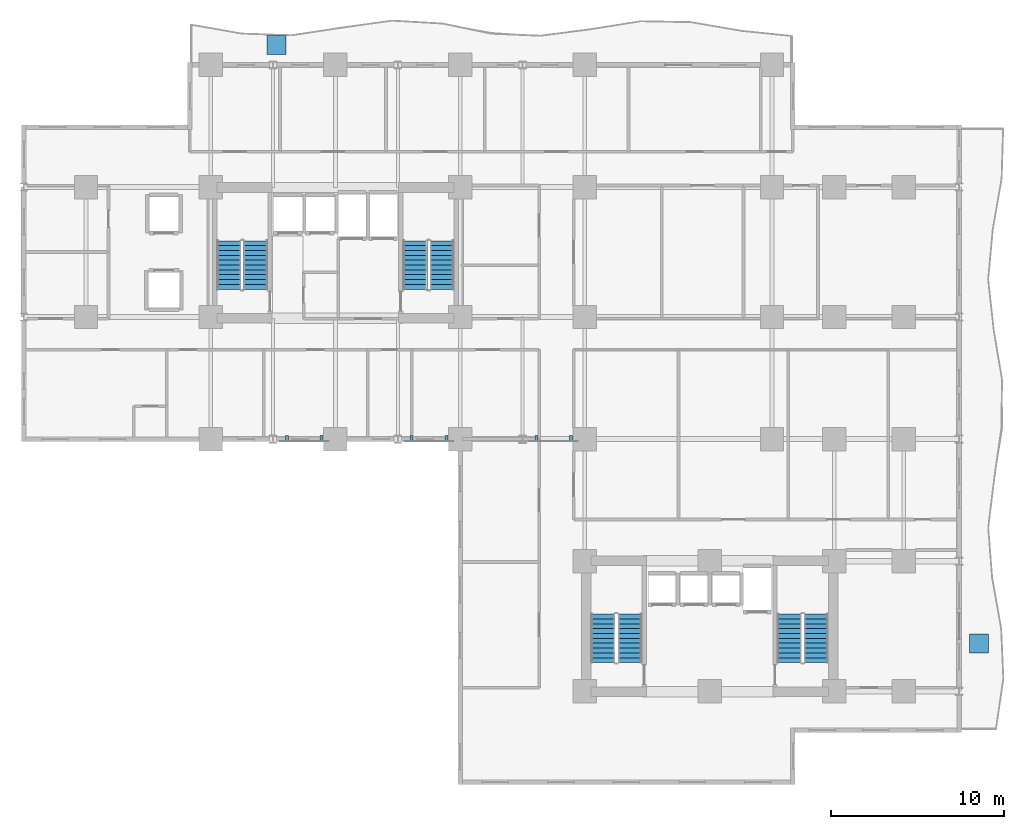
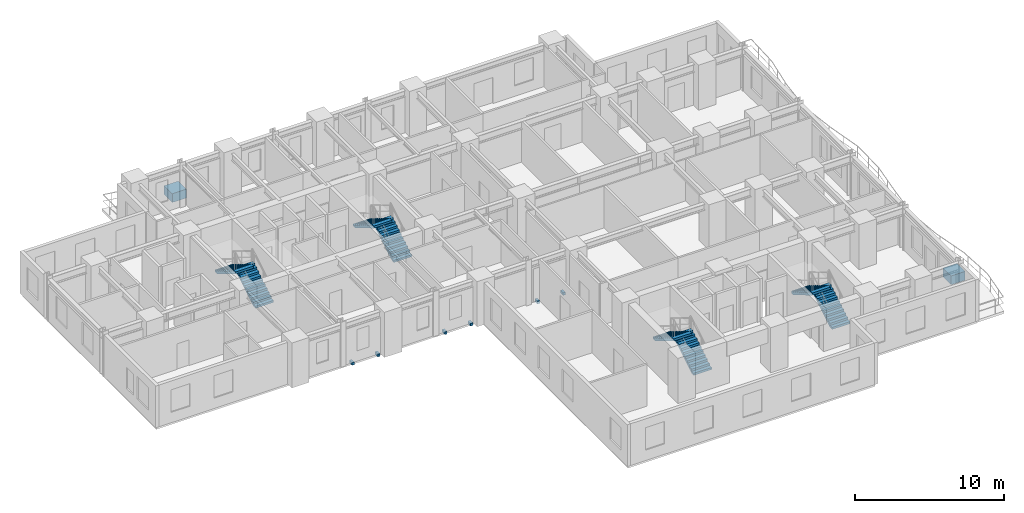
# One storey, part 8 of 11: 8 discrete accessories, 8 stair flights, 4 elements without a shape of their own.
"""IFC4 building model written with IfcOpenShell, lengths in metres."""

from ifc_helpers import new_model, si_unit, direction, frame, origin, origin_2d, place, context, subcontext, project, spatial, polyline, rectangle, outline, extrude, source, transform, mapped, material, type_object, element, aggregate, save


model = new_model("IFC4")

# Units and contexts
model_context = context("Model", 3, precision=1e-05, world=origin(), true_north=direction((0.0, 1.0)))
body_context = subcontext(model_context, "Body", "Model", "MODEL_VIEW")
ifc_project = project(units=[si_unit("LENGTHUNIT", "METRE"), si_unit("AREAUNIT", "SQUARE_METRE"), si_unit("VOLUMEUNIT", "CUBIC_METRE"), si_unit("PLANEANGLEUNIT", "RADIAN"), si_unit("MASSUNIT", "GRAM", prefix="KILO")], contexts=[model_context])

# Site, building, storey
site_placement = place(None, origin())
site = spatial("IfcSite", under=ifc_project, at=site_placement, CompositionType="ELEMENT")
building_placement = place(site_placement, origin())
building = spatial("IfcBuilding", under=site, at=building_placement, Name="Kaliganga Portal Commons", CompositionType="ELEMENT")
storey_placement = place(building_placement, frame((0.0, 0.0, 66.0)))
storey = spatial("IfcBuildingStorey", under=building, at=storey_placement, Name="L16", CompositionType="ELEMENT", Elevation=66.0)

# Stair, stair flights
ifc_material_1 = material(Name="Concrete C40/50", Category="concrete")
stair_type = type_object("IfcStairType", Name="ST-CORE-DOGLEG", PredefinedType="HALF_TURN_STAIR", material=ifc_material_1)
stair_1_placement = place(storey_placement, origin())
stair_1 = element("IfcStair", 1, at=stair_1_placement, inside=storey, type_object=stair_type, Name="L16 Protected Exit Stair ST-A1", PredefinedType="HALF_TURN_STAIR")
stair_flight_type = type_object("IfcStairFlightType", Name="STF-RC-1400", PredefinedType="STRAIGHT", material=ifc_material_1)
stair_flight_1_placement = place(storey_placement, frame((17.0, 30.25, 0.0), z_axis=(0.0, 0.0, 1.0), x_axis=(0.0, 1.0, 0.0)))
stair_flight_1 = element("IfcStairFlight", 2, at=stair_flight_1_placement, type_object=stair_flight_type, Name="ST-A1 flight 1", NumberOfRisers=11, NumberOfTreads=10, PredefinedType="STRAIGHT", RiserHeight=0.168181818, TreadLength=0.28, context=body_context, shape_type="SweptSolid", body=[
    extrude(outline(polyline([(0.0, 0.0), (0.0, 0.168212890625), (0.280029296875, 0.168212890625), (0.280029296875, 0.33642578125), (0.56005859375, 0.33642578125), (0.56005859375, 0.504638671875), (0.840087890625, 0.504638671875), (0.840087890625, 0.672607421875), (1.1201171875, 0.672607421875), (1.1201171875, 0.8408203125), (1.39990234375, 0.8408203125), (1.39990234375, 1.009033203125), (1.679931640625, 1.009033203125), (1.679931640625, 1.17724609375), (1.9599609375, 1.17724609375), (1.9599609375, 1.345458984375), (2.239990234375, 1.345458984375), (2.239990234375, 1.513671875), (2.52001953125, 1.513671875), (2.52001953125, 1.681884765625), (2.800048828125, 1.681884765625), (2.800048828125, 1.85009765625), (2.800048828125, 1.5068359375), (0.291015625, 0.0), (0.0, 0.0)])), frame((0.0, 0.699951171875, 0.0), z_axis=(0.0, -1.0, 0.0), x_axis=(1.0, 0.0, 0.0)), (0.0, 0.0, 1.0), 1.39990234375),
])
stair_flight_2_placement = place(storey_placement, frame((15.449951171875, 33.050048828125, 1.85009765625), z_axis=(0.0, 0.0, 1.0), x_axis=(0.0, -1.0, 0.0)))
stair_flight_2 = element("IfcStairFlight", 3, at=stair_flight_2_placement, type_object=stair_flight_type, Name="ST-A1 flight 2", NumberOfRisers=11, NumberOfTreads=10, PredefinedType="STRAIGHT", RiserHeight=0.168181818, TreadLength=0.28, context=body_context, shape_type="SweptSolid", body=[
    extrude(outline(polyline([(0.0, 0.0), (0.0, 0.168212890625), (0.280029296875, 0.168212890625), (0.280029296875, 0.33642578125), (0.56005859375, 0.33642578125), (0.56005859375, 0.504638671875), (0.840087890625, 0.504638671875), (0.840087890625, 0.672607421875), (1.1201171875, 0.672607421875), (1.1201171875, 0.8408203125), (1.39990234375, 0.8408203125), (1.39990234375, 1.009033203125), (1.679931640625, 1.009033203125), (1.679931640625, 1.17724609375), (1.9599609375, 1.17724609375), (1.9599609375, 1.345458984375), (2.239990234375, 1.345458984375), (2.239990234375, 1.513671875), (2.52001953125, 1.513671875), (2.52001953125, 1.681884765625), (2.800048828125, 1.681884765625), (2.800048828125, 1.85009765625), (2.800048828125, 1.5068359375), (0.291015625, 0.0), (0.0, 0.0)])), frame((0.0, 0.699951171875, 0.0), z_axis=(0.0, -1.0, 0.0), x_axis=(1.0, 0.0, 0.0)), (0.0, 0.0, 1.0), 1.39990234375),
])
aggregate(stair_1, [stair_flight_1, stair_flight_2])

stair_2_placement = place(storey_placement, origin())
stair_2 = element("IfcStair", 4, at=stair_2_placement, inside=storey, type_object=stair_type, Name="L16 Protected Exit Stair ST-A2", PredefinedType="HALF_TURN_STAIR")
stair_flight_3_placement = place(storey_placement, frame((27.75, 30.25, 0.0), z_axis=(0.0, 0.0, 1.0), x_axis=(0.0, 1.0, 0.0)))
stair_flight_3 = element("IfcStairFlight", 5, at=stair_flight_3_placement, type_object=stair_flight_type, Name="ST-A2 flight 1", NumberOfRisers=11, NumberOfTreads=10, PredefinedType="STRAIGHT", RiserHeight=0.168181818, TreadLength=0.28, context=body_context, shape_type="SweptSolid", body=[
    extrude(outline(polyline([(0.0, 0.0), (0.0, 0.168212890625), (0.280029296875, 0.168212890625), (0.280029296875, 0.33642578125), (0.56005859375, 0.33642578125), (0.56005859375, 0.504638671875), (0.840087890625, 0.504638671875), (0.840087890625, 0.672607421875), (1.1201171875, 0.672607421875), (1.1201171875, 0.8408203125), (1.39990234375, 0.8408203125), (1.39990234375, 1.009033203125), (1.679931640625, 1.009033203125), (1.679931640625, 1.17724609375), (1.9599609375, 1.17724609375), (1.9599609375, 1.345458984375), (2.239990234375, 1.345458984375), (2.239990234375, 1.513671875), (2.52001953125, 1.513671875), (2.52001953125, 1.681884765625), (2.800048828125, 1.681884765625), (2.800048828125, 1.85009765625), (2.800048828125, 1.5068359375), (0.291015625, 0.0), (0.0, 0.0)])), frame((0.0, 0.699951171875, 0.0), z_axis=(0.0, -1.0, 0.0), x_axis=(1.0, 0.0, 0.0)), (0.0, 0.0, 1.0), 1.39990234375),
])
stair_flight_4_placement = place(storey_placement, frame((26.199951171875, 33.050048828125, 1.85009765625), z_axis=(0.0, 0.0, 1.0), x_axis=(0.0, -1.0, 0.0)))
stair_flight_4 = element("IfcStairFlight", 6, at=stair_flight_4_placement, type_object=stair_flight_type, Name="ST-A2 flight 2", NumberOfRisers=11, NumberOfTreads=10, PredefinedType="STRAIGHT", RiserHeight=0.168181818, TreadLength=0.28, context=body_context, shape_type="SweptSolid", body=[
    extrude(outline(polyline([(0.0, 0.0), (0.0, 0.168212890625), (0.280029296875, 0.168212890625), (0.280029296875, 0.33642578125), (0.56005859375, 0.33642578125), (0.56005859375, 0.504638671875), (0.840087890625, 0.504638671875), (0.840087890625, 0.672607421875), (1.1201171875, 0.672607421875), (1.1201171875, 0.8408203125), (1.39990234375, 0.8408203125), (1.39990234375, 1.009033203125), (1.679931640625, 1.009033203125), (1.679931640625, 1.17724609375), (1.9599609375, 1.17724609375), (1.9599609375, 1.345458984375), (2.239990234375, 1.345458984375), (2.239990234375, 1.513671875), (2.52001953125, 1.513671875), (2.52001953125, 1.681884765625), (2.800048828125, 1.681884765625), (2.800048828125, 1.85009765625), (2.800048828125, 1.5068359375), (0.291015625, 0.0), (0.0, 0.0)])), frame((0.0, 0.699951171875, 0.0), z_axis=(0.0, -1.0, 0.0), x_axis=(1.0, 0.0, 0.0)), (0.0, 0.0, 1.0), 1.39990234375),
])
aggregate(stair_2, [stair_flight_3, stair_flight_4])

stair_3_placement = place(storey_placement, origin())
stair_3 = element("IfcStair", 7, at=stair_3_placement, inside=storey, type_object=stair_type, Name="L16 Protected Exit Stair ST-B1", PredefinedType="HALF_TURN_STAIR")
stair_flight_5_placement = place(storey_placement, frame((38.60009765625, 8.699951171875, 0.0), z_axis=(0.0, 0.0, 1.0), x_axis=(0.0, 1.0, 0.0)))
stair_flight_5 = element("IfcStairFlight", 8, at=stair_flight_5_placement, type_object=stair_flight_type, Name="ST-B1 flight 1", NumberOfRisers=11, NumberOfTreads=10, PredefinedType="STRAIGHT", RiserHeight=0.168181818, TreadLength=0.28, context=body_context, shape_type="SweptSolid", body=[
    extrude(outline(polyline([(0.0, 0.0), (0.0, 0.168212890625), (0.280029296875, 0.168212890625), (0.280029296875, 0.33642578125), (0.56005859375, 0.33642578125), (0.56005859375, 0.504638671875), (0.840087890625, 0.504638671875), (0.840087890625, 0.672607421875), (1.1201171875, 0.672607421875), (1.1201171875, 0.8408203125), (1.39990234375, 0.8408203125), (1.39990234375, 1.009033203125), (1.679931640625, 1.009033203125), (1.679931640625, 1.17724609375), (1.9599609375, 1.17724609375), (1.9599609375, 1.345458984375), (2.239990234375, 1.345458984375), (2.239990234375, 1.513671875), (2.52001953125, 1.513671875), (2.52001953125, 1.681884765625), (2.800048828125, 1.681884765625), (2.800048828125, 1.85009765625), (2.800048828125, 1.5068359375), (0.291015625, 0.0), (0.0, 0.0)])), frame((0.0, 0.699951171875, 0.0), z_axis=(0.0, -1.0, 0.0), x_axis=(1.0, 0.0, 0.0)), (0.0, 0.0, 1.0), 1.39990234375),
])
stair_flight_6_placement = place(storey_placement, frame((37.050048828125, 11.5, 1.85009765625), z_axis=(0.0, 0.0, 1.0), x_axis=(0.0, -1.0, 0.0)))
stair_flight_6 = element("IfcStairFlight", 9, at=stair_flight_6_placement, type_object=stair_flight_type, Name="ST-B1 flight 2", NumberOfRisers=11, NumberOfTreads=10, PredefinedType="STRAIGHT", RiserHeight=0.168181818, TreadLength=0.28, context=body_context, shape_type="SweptSolid", body=[
    extrude(outline(polyline([(0.0, 0.0), (0.0, 0.168212890625), (0.280029296875, 0.168212890625), (0.280029296875, 0.33642578125), (0.56005859375, 0.33642578125), (0.56005859375, 0.504638671875), (0.840087890625, 0.504638671875), (0.840087890625, 0.672607421875), (1.1201171875, 0.672607421875), (1.1201171875, 0.8408203125), (1.39990234375, 0.8408203125), (1.39990234375, 1.009033203125), (1.679931640625, 1.009033203125), (1.679931640625, 1.17724609375), (1.9599609375, 1.17724609375), (1.9599609375, 1.345458984375), (2.239990234375, 1.345458984375), (2.239990234375, 1.513671875), (2.52001953125, 1.513671875), (2.52001953125, 1.681884765625), (2.800048828125, 1.681884765625), (2.800048828125, 1.85009765625), (2.800048828125, 1.5068359375), (0.291015625, 0.0), (0.0, 0.0)])), frame((0.0, 0.699951171875, 0.0), z_axis=(0.0, -1.0, 0.0), x_axis=(1.0, 0.0, 0.0)), (0.0, 0.0, 1.0), 1.39990234375),
])
aggregate(stair_3, [stair_flight_5, stair_flight_6])

stair_4_placement = place(storey_placement, origin())
stair_4 = element("IfcStair", 10, at=stair_4_placement, inside=storey, type_object=stair_type, Name="L16 Protected Exit Stair ST-B2", PredefinedType="HALF_TURN_STAIR")
stair_flight_7_placement = place(storey_placement, frame((49.35009765625, 8.699951171875, 0.0), z_axis=(0.0, 0.0, 1.0), x_axis=(0.0, 1.0, 0.0)))
stair_flight_7 = element("IfcStairFlight", 11, at=stair_flight_7_placement, type_object=stair_flight_type, Name="ST-B2 flight 1", NumberOfRisers=11, NumberOfTreads=10, PredefinedType="STRAIGHT", RiserHeight=0.168181818, TreadLength=0.28, context=body_context, shape_type="SweptSolid", body=[
    extrude(outline(polyline([(0.0, 0.0), (0.0, 0.168212890625), (0.280029296875, 0.168212890625), (0.280029296875, 0.33642578125), (0.56005859375, 0.33642578125), (0.56005859375, 0.504638671875), (0.840087890625, 0.504638671875), (0.840087890625, 0.672607421875), (1.1201171875, 0.672607421875), (1.1201171875, 0.8408203125), (1.39990234375, 0.8408203125), (1.39990234375, 1.009033203125), (1.679931640625, 1.009033203125), (1.679931640625, 1.17724609375), (1.9599609375, 1.17724609375), (1.9599609375, 1.345458984375), (2.239990234375, 1.345458984375), (2.239990234375, 1.513671875), (2.52001953125, 1.513671875), (2.52001953125, 1.681884765625), (2.800048828125, 1.681884765625), (2.800048828125, 1.85009765625), (2.800048828125, 1.5068359375), (0.291015625, 0.0), (0.0, 0.0)])), frame((0.0, 0.699951171875, 0.0), z_axis=(0.0, -1.0, 0.0), x_axis=(1.0, 0.0, 0.0)), (0.0, 0.0, 1.0), 1.39990234375),
])
stair_flight_8_placement = place(storey_placement, frame((47.800048828125, 11.5, 1.85009765625), z_axis=(0.0, 0.0, 1.0), x_axis=(0.0, -1.0, 0.0)))
stair_flight_8 = element("IfcStairFlight", 12, at=stair_flight_8_placement, type_object=stair_flight_type, Name="ST-B2 flight 2", NumberOfRisers=11, NumberOfTreads=10, PredefinedType="STRAIGHT", RiserHeight=0.168181818, TreadLength=0.28, context=body_context, shape_type="SweptSolid", body=[
    extrude(outline(polyline([(0.0, 0.0), (0.0, 0.168212890625), (0.280029296875, 0.168212890625), (0.280029296875, 0.33642578125), (0.56005859375, 0.33642578125), (0.56005859375, 0.504638671875), (0.840087890625, 0.504638671875), (0.840087890625, 0.672607421875), (1.1201171875, 0.672607421875), (1.1201171875, 0.8408203125), (1.39990234375, 0.8408203125), (1.39990234375, 1.009033203125), (1.679931640625, 1.009033203125), (1.679931640625, 1.17724609375), (1.9599609375, 1.17724609375), (1.9599609375, 1.345458984375), (2.239990234375, 1.345458984375), (2.239990234375, 1.513671875), (2.52001953125, 1.513671875), (2.52001953125, 1.681884765625), (2.800048828125, 1.681884765625), (2.800048828125, 1.85009765625), (2.800048828125, 1.5068359375), (0.291015625, 0.0), (0.0, 0.0)])), frame((0.0, 0.699951171875, 0.0), z_axis=(0.0, -1.0, 0.0), x_axis=(1.0, 0.0, 0.0)), (0.0, 0.0, 1.0), 1.39990234375),
])
aggregate(stair_4, [stair_flight_7, stair_flight_8])

# Discrete accessories
ifc_material_2 = material(Name="Precast concrete C40/50", Category="concrete")
discrete_accessory_type_1 = type_object("IfcDiscreteAccessoryType", Name="DAC-PLANTER-RC", PredefinedType="USERDEFINED", material=ifc_material_2)
shared_shape_1 = source(origin(), body_context, "Body", "SweptSolid", [
    extrude(rectangle(XDim=1.10009765625, YDim=1.10009765625, at=origin_2d()), origin(), (0.0, 0.0, 1.0), 0.719970703125),
])
for number, where, z_axis, x_axis, name in (
    (13, (18.199951171875, 44.35009765625, 0.0), (0.0, 0.0, 1.0), (1.0, 0.0, 0.0), "Structural Tree Planter L16 balc_north"),
    (14, (58.75, 9.800048828125, 0.0), (0.0, 0.0, 1.0), (1.0, 0.0, 0.0), "Structural Tree Planter L16 balc_east"),
):
    element("IfcDiscreteAccessory", number, at=place(storey_placement, frame(where, z_axis=z_axis, x_axis=x_axis)), inside=storey, type_object=discrete_accessory_type_1, Name=name, ObjectType="PLANTER", PredefinedType="USERDEFINED", context=body_context, shape_type="MappedRepresentation", body=[
        mapped(shared_shape_1, transform((0.0, 0.0, 0.0), x_axis=(1.0, 0.0, 0.0), y_axis=(0.0, 1.0, 0.0), z_axis=(0.0, 0.0, 1.0), scale=1.0)),
    ])
ifc_material_3 = material(Name="Structural steel S355J2", Category="steel")
discrete_accessory_type_2 = type_object("IfcDiscreteAccessoryType", Name="DAC-BRK-SCR", PredefinedType="BRACKET", material=ifc_material_3)
shared_shape_2 = source(origin(), body_context, "Body", "SweptSolid", [
    extrude(rectangle(XDim=0.179931640625, YDim=0.360107421875, at=origin_2d()), origin(), (0.0, 0.0, 1.0), 0.219970703125),
])
for number, where, z_axis, x_axis, name in (
    (15, (18.800048828125, 21.6201171875, -0.18994140625), (0.0, 0.0, 1.0), (1.0, 0.0, 0.0), "Solar Screen Outrigger Bracket L16-S1-1"),
    (16, (20.800048828125, 21.6201171875, -0.18994140625), (0.0, 0.0, 1.0), (1.0, 0.0, 0.0), "Solar Screen Outrigger Bracket L16-S1-2"),
    (17, (26.0, 21.6201171875, -0.18994140625), (0.0, 0.0, 1.0), (1.0, 0.0, 0.0), "Solar Screen Outrigger Bracket L16-S2-1"),
    (18, (28.0, 21.6201171875, -0.18994140625), (0.0, 0.0, 1.0), (1.0, 0.0, 0.0), "Solar Screen Outrigger Bracket L16-S2-2"),
    (19, (33.199951171875, 21.6201171875, -0.18994140625), (0.0, 0.0, 1.0), (1.0, 0.0, 0.0), "Solar Screen Outrigger Bracket L16-S3-1"),
    (20, (35.199951171875, 21.6201171875, -0.18994140625), (0.0, 0.0, 1.0), (1.0, 0.0, 0.0), "Solar Screen Outrigger Bracket L16-S3-2"),
):
    element("IfcDiscreteAccessory", number, at=place(storey_placement, frame(where, z_axis=z_axis, x_axis=x_axis)), inside=storey, type_object=discrete_accessory_type_2, Name=name, PredefinedType="BRACKET", context=body_context, shape_type="MappedRepresentation", body=[
        mapped(shared_shape_2, transform((0.0, 0.0, 0.0), x_axis=(1.0, 0.0, 0.0), y_axis=(0.0, 1.0, 0.0), z_axis=(0.0, 0.0, 1.0), scale=1.0)),
    ])

save(model, "model.ifc")
